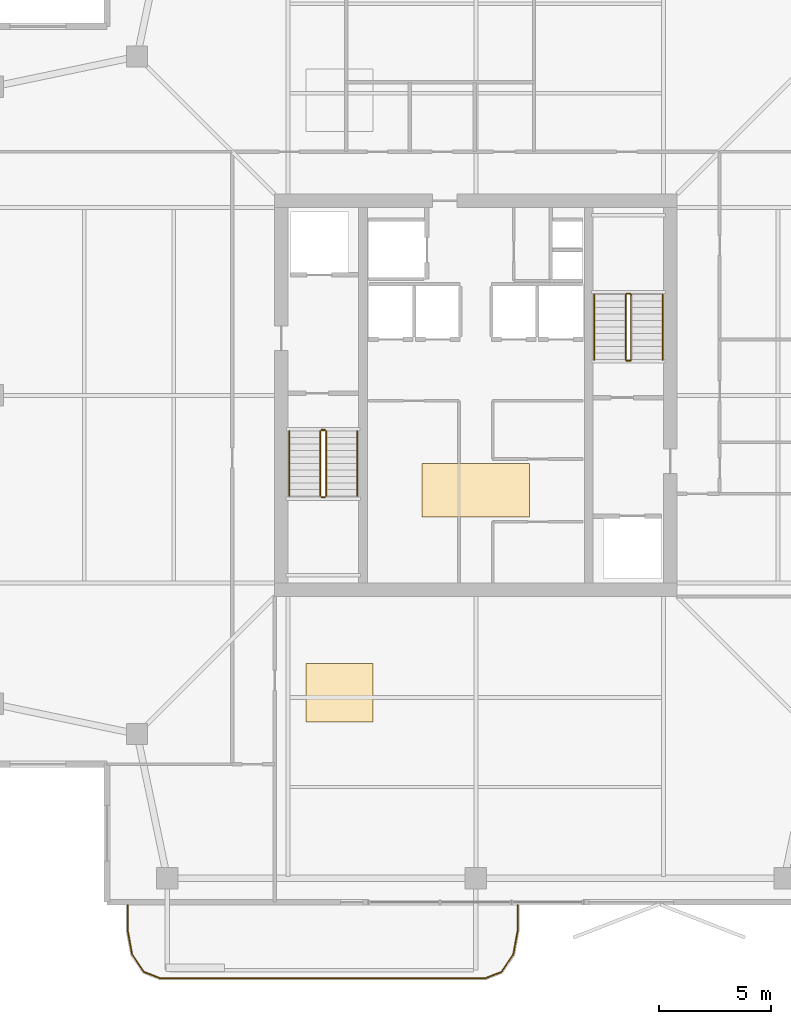
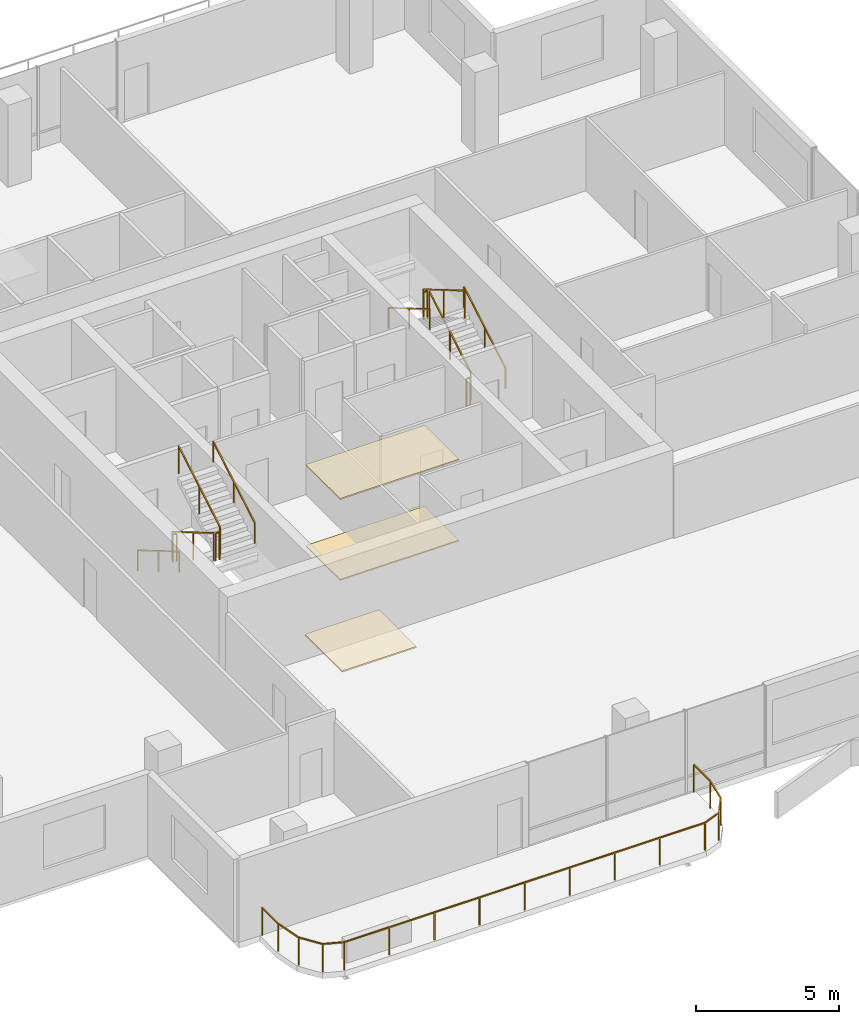
# One storey, part 16 of 17: 13 railings, 3 coverings.
"""IFC4 building model written with IfcOpenShell, lengths in metres."""

import ifcopenshell
import ifcopenshell.guid

model = None  # the IFC model being written
_history = None  # IfcOwnerHistory: only IFC2X3 demands one
_inside = {}  # id of a spatial element -> (the spatial element, [elements in it])
_under = {}  # id of a project, library or spatial element -> (it, [spatial elements below it])
_declared = {}  # id of a project -> (the project, [libraries it declares])
_typed = {}  # id of a type object -> (the type object, [elements of that type])
_made_of = {}  # id of a material, layer set ... -> (it, [elements and type objects made of it])


def new_model(schema):
    """Start an empty IFC model of exactly this schema.

    Asked for "IFC4X3", IfcOpenShell would pick the latest addendum, in which some entities
    have other attributes; the version numbers below select the first issue.
    IFC2X3 requires an IfcOwnerHistory on every rooted entity: one is made here for all.
    """
    global model, _history
    if schema == "IFC4X3":
        model = ifcopenshell.file(schema_version=(4, 3, 0, 0))
    else:
        model = ifcopenshell.file(schema=schema)
    _inside.clear()
    _under.clear()
    _declared.clear()
    _typed.clear()
    _made_of.clear()
    _history = None
    if model.schema == "IFC2X3":
        org = make("IfcOrganization", Name="unknown")
        user = make(
            "IfcPersonAndOrganization",
            ThePerson=make("IfcPerson", FamilyName="unknown"),
            TheOrganization=org,
        )
        app = make(
            "IfcApplication",
            ApplicationDeveloper=org,
            Version="unknown",
            ApplicationFullName="unknown",
            ApplicationIdentifier="unknown",
        )
        _history = make(
            "IfcOwnerHistory",
            OwningUser=user,
            OwningApplication=app,
            ChangeAction="ADDED",
            CreationDate=0,
        )
    return model


def make(cls, **values):
    """One entity of the class cls with the attributes given. An attribute that is None is left unset."""
    return model.create_entity(
        cls, **{name: value for name, value in values.items() if value is not None}
    )


def rooted(cls, **values):
    """An entity with a GlobalId (a new one), such as an element, a storey or a relation."""
    return make(cls, GlobalId=ifcopenshell.guid.new(), OwnerHistory=_history, **values)


def si_unit(unit_type, name, prefix=None):
    """IfcSIUnit, for example si_unit("LENGTHUNIT", "METRE", prefix="MILLI")."""
    return make("IfcSIUnit", UnitType=unit_type, Prefix=prefix, Name=name)


def assignment(units):
    """IfcUnitAssignment: the units of a project."""
    return None if units is None else make("IfcUnitAssignment", Units=units)


def point(xyz):
    """IfcCartesianPoint."""
    return None if xyz is None else make("IfcCartesianPoint", Coordinates=xyz)


def direction(xyz):
    """IfcDirection."""
    return None if xyz is None else make("IfcDirection", DirectionRatios=xyz)


def frame(location, z_axis=None, x_axis=None):
    """IfcAxis2Placement3D, a coordinate frame: its origin and axes. An axis left out is left unset."""
    return make(
        "IfcAxis2Placement3D",
        Location=point(location),
        Axis=direction(z_axis),
        RefDirection=direction(x_axis),
    )


def frame_2d(location, x_axis=None):
    """IfcAxis2Placement2D, a coordinate frame in the plane: its origin and x axis."""
    return make(
        "IfcAxis2Placement2D", Location=point(location), RefDirection=direction(x_axis)
    )


def origin():
    """The frame at (0, 0, 0) with its axes left unset."""
    return frame((0.0, 0.0, 0.0))


def origin_2d():
    """The frame at (0, 0) in the plane with its x axis left unset."""
    return frame_2d((0.0, 0.0))


def place(relative_to, where):
    """IfcLocalPlacement: puts the frame where relative to a parent placement (None: the world)."""
    return make(
        "IfcLocalPlacement", PlacementRelTo=relative_to, RelativePlacement=where
    )


def context(
    kind, dimensions, precision=None, world=None, true_north=None, identifier=None
):
    """IfcGeometricRepresentationContext, for example the 3D "Model" context."""
    return make(
        "IfcGeometricRepresentationContext",
        ContextIdentifier=identifier,
        ContextType=kind,
        CoordinateSpaceDimension=dimensions,
        Precision=precision,
        WorldCoordinateSystem=world,
        TrueNorth=true_north,
    )


def subcontext(parent, identifier, kind, view, scale=None):
    """IfcGeometricRepresentationSubContext, for example "Body" below "Model"."""
    return make(
        "IfcGeometricRepresentationSubContext",
        ContextIdentifier=identifier,
        ContextType=kind,
        ParentContext=parent,
        TargetScale=scale,
        TargetView=view,
    )


def project(units=None, contexts=None):
    """IfcProject with its units and contexts."""
    return rooted(
        "IfcProject",
        Name="project",
        RepresentationContexts=contexts,
        UnitsInContext=assignment(units),
    )


def spatial(cls, under=None, at=None, **own):
    """A site, building, storey or space (cls), placed at a placement, below another one or the project."""
    s = rooted(cls, ObjectPlacement=at, **own)
    if under is not None:
        _under.setdefault(under.id(), (under, []))[1].append(s)
    return s


def polyline(points):
    """IfcPolyline through the points."""
    return make("IfcPolyline", Points=[point(p) for p in points])


def profile(cls, at=None, kind="AREA", **sizes):
    """A parametric profile (cls). Its sizes go by their IFC names, for example OverallWidth=200.0."""
    return make(cls, ProfileType=kind, Position=at, **sizes)


def rectangle(**sizes):
    """IfcRectangleProfileDef."""
    return profile("IfcRectangleProfileDef", **sizes)


def outline(outer, holes=None, kind="AREA"):
    """IfcArbitraryClosedProfileDef: a profile drawn as a closed curve; with holes, ...WithVoids."""
    if holes is None:
        return make("IfcArbitraryClosedProfileDef", ProfileType=kind, OuterCurve=outer)
    return make(
        "IfcArbitraryProfileDefWithVoids",
        ProfileType=kind,
        OuterCurve=outer,
        InnerCurves=holes,
    )


def extrude(swept, where, along, depth):
    """IfcExtrudedAreaSolid: the profile swept, set in the frame where, extruded along a direction by depth."""
    return make(
        "IfcExtrudedAreaSolid",
        SweptArea=swept,
        Position=where,
        ExtrudedDirection=direction(along),
        Depth=depth,
    )


def shape(context_of_items, identifier, shape_type, items):
    """IfcShapeRepresentation: the items that make up one representation, for example the "Body"."""
    return make(
        "IfcShapeRepresentation",
        ContextOfItems=context_of_items,
        RepresentationIdentifier=identifier,
        RepresentationType=shape_type,
        Items=items,
    )


def material(Name=None, Category=None):
    """IfcMaterial."""
    return make("IfcMaterial", Name=Name, Category=Category)


def layer(
    of_material, thickness, ventilated=None, Name=None, Category=None, Priority=None
):
    """IfcMaterialLayer: one layer of a wall or slab, of a material (None: an air gap)."""
    return make(
        "IfcMaterialLayer",
        Material=of_material,
        LayerThickness=thickness,
        IsVentilated=ventilated,
        Name=Name,
        Category=Category,
        Priority=Priority,
    )


def layer_set(layers, Name=None):
    """IfcMaterialLayerSet."""
    return make("IfcMaterialLayerSet", MaterialLayers=layers, LayerSetName=Name)


def made_of(thing, what):
    """Note that an element or type object is made of a material, layer set ...; save() writes the relation."""
    if what is not None:
        _made_of.setdefault(what.id(), (what, []))[1].append(thing)
    return thing


def type_object(cls, material=None, **own):
    """A type object (cls), such as IfcWallType, which elements share."""
    return made_of(rooted(cls, **own), material)


def element(
    cls,
    number,
    at=None,
    inside=None,
    cuts=None,
    type_object=None,
    material=None,
    context=None,
    identifier="Body",
    shape_type=None,
    held_by="IfcProductDefinitionShape",
    body=None,
    shapes=None,
    **own,
):
    """One element of the class cls, such as IfcWall. Its Tag is "e" and its number.

    at: its placement. inside: the storey or other place that contains it. cuts: it is an
    opening in that element (IfcRelVoidsElement). A single representation is given by context,
    identifier, shape_type and body (its items); several are given by shapes. held_by: the class
    of the entity that holds the representations. save() writes the other relations.
    """
    e = rooted(cls, Tag="e%d" % number, ObjectPlacement=at, **own)
    if body is not None:
        shapes = [shape(context, identifier, shape_type, body)]
    if shapes is not None:
        e.Representation = make(held_by, Representations=shapes)
    if inside is not None:
        _inside.setdefault(inside.id(), (inside, []))[1].append(e)
    if cuts is not None:
        rooted(
            "IfcRelVoidsElement", RelatingBuildingElement=cuts, RelatedOpeningElement=e
        )
    if type_object is not None:
        _typed.setdefault(type_object.id(), (type_object, []))[1].append(e)
    return made_of(e, material)


def aggregate(whole, parts):
    """IfcRelAggregates: a whole, such as a stair, and the parts it consists of."""
    return rooted("IfcRelAggregates", RelatingObject=whole, RelatedObjects=parts)


def save(model, path):
    """Write the relations noted so far, then the file.

    IfcRelAggregates (storeys below a building ...), IfcRelContainedInSpatialStructure (elements
    in a storey), IfcRelDefinesByType, IfcRelAssociatesMaterial and IfcRelDeclares: one each for
    every whole, place, type object, material and project.
    """
    for whole, parts in _under.values():
        aggregate(whole, parts)
    for where, things in _inside.values():
        rooted(
            "IfcRelContainedInSpatialStructure",
            RelatedElements=things,
            RelatingStructure=where,
        )
    for kind, things in _typed.values():
        rooted("IfcRelDefinesByType", RelatedObjects=things, RelatingType=kind)
    for what, things in _made_of.values():
        rooted("IfcRelAssociatesMaterial", RelatedObjects=things, RelatingMaterial=what)
    for by, libraries in _declared.values():
        rooted("IfcRelDeclares", RelatingContext=by, RelatedDefinitions=libraries)
    model.write(path)


model = new_model("IFC4")

# Units and contexts
model_context = context("Model", 3, precision=1e-05, world=origin(), true_north=direction((0.0, 1.0)))
body_context = subcontext(model_context, "Body", "Model", "MODEL_VIEW")
ifc_project = project(units=[si_unit("LENGTHUNIT", "METRE"), si_unit("AREAUNIT", "SQUARE_METRE"), si_unit("VOLUMEUNIT", "CUBIC_METRE"), si_unit("PLANEANGLEUNIT", "RADIAN"), si_unit("MASSUNIT", "GRAM", prefix="KILO")], contexts=[model_context])

# Site, building, storey
site_placement = place(None, origin())
site = spatial("IfcSite", under=ifc_project, at=site_placement, CompositionType="ELEMENT")
building_placement = place(site_placement, origin())
building = spatial("IfcBuilding", under=site, at=building_placement, Name="Belovzor Exchange Tower", CompositionType="ELEMENT")
storey_placement = place(building_placement, frame((0.0, 0.0, 303.0)))
storey = spatial("IfcBuildingStorey", under=building, at=storey_placement, Name="L75", CompositionType="ELEMENT", Elevation=303.0)

# Railings
ifc_material_1 = material(Name="Stainless Steel Grade 304", Category="steel")
railing_type_1 = type_object("IfcRailingType", Name="Brushed Stainless Steel Stair Handrail 900", PredefinedType="HANDRAIL", material=ifc_material_1)
railing_1_placement = place(storey_placement, frame((20.449951171875, 27.199951171875, 0.17041015625)))
element("IfcRailing", 1, at=railing_1_placement, inside=storey, type_object=railing_type_1, Name="L75 ST-1 stair handrail 1", PredefinedType="HANDRAIL", context=body_context, shape_type="SweptSolid", body=[
    extrude(rectangle(XDim=0.048095703125, YDim=0.048095703125, at=origin_2d()), frame((0.0, 0.0, 0.8759765625), z_axis=(0.0, -0.86209462966, 0.506747323142), x_axis=(1.0, 0.0, 0.0)), (0.0, 0.0, 1.0), 3.36376953125),
    extrude(rectangle(XDim=0.0419921875, YDim=0.0419921875, at=origin_2d()), origin(), (0.0, 0.0, 1.0), 0.851806640625),
    extrude(rectangle(XDim=0.0419921875, YDim=0.0419921875, at=origin_2d()), frame((0.0, -1.449951171875, 0.852294921875)), (0.0, 0.0, 1.0), 0.851806640625),
    extrude(rectangle(XDim=0.0419921875, YDim=0.0419921875, at=origin_2d()), frame((0.0, -2.89990234375, 1.70458984375)), (0.0, 0.0, 1.0), 0.851806640625),
])
railing_2_placement = place(storey_placement, frame((23.5, 24.300048828125, 2.04541015625)))
element("IfcRailing", 2, at=railing_2_placement, inside=storey, type_object=railing_type_1, Name="L75 ST-1 stair handrail 2", PredefinedType="HANDRAIL", context=body_context, shape_type="SweptSolid", body=[
    extrude(rectangle(XDim=0.048095703125, YDim=0.048095703125, at=origin_2d()), frame((0.0, 0.0, 0.8759765625), z_axis=(0.0, 0.86209462966, 0.506747323142), x_axis=(-1.0, 0.0, 0.0)), (0.0, 0.0, 1.0), 3.36376953125),
    extrude(rectangle(XDim=0.0419921875, YDim=0.0419921875, at=origin_2d()), origin(), (0.0, 0.0, 1.0), 0.851806640625),
    extrude(rectangle(XDim=0.0419921875, YDim=0.0419921875, at=origin_2d()), frame((0.0, 1.449951171875, 0.852294921875)), (0.0, 0.0, 1.0), 0.851806640625),
    extrude(rectangle(XDim=0.0419921875, YDim=0.0419921875, at=origin_2d()), frame((0.0, 2.89990234375, 1.70458984375)), (0.0, 0.0, 1.0), 0.851806640625),
])
railing_3_placement = place(storey_placement, frame((37.14990234375, 30.39990234375, 0.17041015625)))
element("IfcRailing", 3, at=railing_3_placement, inside=storey, type_object=railing_type_1, Name="L75 ST-2 stair handrail 1", PredefinedType="HANDRAIL", context=body_context, shape_type="SweptSolid", body=[
    extrude(rectangle(XDim=0.048095703125, YDim=0.048095703125, at=origin_2d()), frame((0.0, 0.0, 0.8759765625), z_axis=(0.0, 0.862113265706, 0.506715617574), x_axis=(-1.0, 0.0, 0.0)), (0.0, 0.0, 1.0), 3.364013671875),
    extrude(rectangle(XDim=0.0419921875, YDim=0.0419921875, at=origin_2d()), origin(), (0.0, 0.0, 1.0), 0.851806640625),
    extrude(rectangle(XDim=0.0419921875, YDim=0.0419921875, at=origin_2d()), frame((0.0, 1.4501953125, 0.852294921875)), (0.0, 0.0, 1.0), 0.851806640625),
    extrude(rectangle(XDim=0.0419921875, YDim=0.0419921875, at=origin_2d()), frame((0.0, 2.900146484375, 1.70458984375)), (0.0, 0.0, 1.0), 0.851806640625),
])
railing_4_placement = place(storey_placement, frame((34.10009765625, 33.300048828125, 2.04541015625)))
element("IfcRailing", 4, at=railing_4_placement, inside=storey, type_object=railing_type_1, Name="L75 ST-2 stair handrail 2", PredefinedType="HANDRAIL", context=body_context, shape_type="SweptSolid", body=[
    extrude(rectangle(XDim=0.048095703125, YDim=0.048095703125, at=origin_2d()), frame((0.0, 0.0, 0.8759765625), z_axis=(0.0, -0.862113265706, 0.506715617574), x_axis=(1.0, 0.0, 0.0)), (0.0, 0.0, 1.0), 3.364013671875),
    extrude(rectangle(XDim=0.0419921875, YDim=0.0419921875, at=origin_2d()), origin(), (0.0, 0.0, 1.0), 0.851806640625),
    extrude(rectangle(XDim=0.0419921875, YDim=0.0419921875, at=origin_2d()), frame((0.0, -1.4501953125, 0.852294921875)), (0.0, 0.0, 1.0), 0.851806640625),
    extrude(rectangle(XDim=0.0419921875, YDim=0.0419921875, at=origin_2d()), frame((0.0, -2.900146484375, 1.70458984375)), (0.0, 0.0, 1.0), 0.851806640625),
])
ifc_material_2 = material(Name="Stainless Steel and Laminated Safety Glass", Category="steel")
railing_type_2 = type_object("IfcRailingType", Name="Laminated Glass & Stainless Steel Balcony Balustrade 1200", PredefinedType="BALUSTRADE", material=ifc_material_2)
railing_5_placement = place(storey_placement, frame((13.22998046875, 5.989990234375, 0.0)))
element("IfcRailing", 5, at=railing_5_placement, inside=storey, type_object=railing_type_2, Name="GR-1 Balcony Balustrade L75 South", PredefinedType="BALUSTRADE", context=body_context, shape_type="SweptSolid", body=[
    extrude(rectangle(XDim=0.048095703125, YDim=0.048095703125, at=origin_2d()), frame((0.0, 0.0, 1.17578125), z_axis=(0.0, -1.0, 0.0), x_axis=(1.0, 0.0, 0.0)), (0.0, 0.0, 1.0), 1.133056640625),
    extrude(rectangle(XDim=0.048095703125, YDim=0.048095703125, at=origin_2d()), frame((0.0, -1.133056640625, 1.17578125), z_axis=(0.180122719713, -0.983644145941, 0.0), x_axis=(0.983644145941, 0.180122719713, 0.0)), (0.0, 0.0, 1.0), 1.09375),
    extrude(rectangle(XDim=0.048095703125, YDim=0.048095703125, at=origin_2d()), frame((0.197021484375, -2.208984375, 1.17578125), z_axis=(0.562768145367, -0.826614792125, 0.0), x_axis=(0.826614792125, 0.562768145367, 0.0)), (0.0, 0.0, 1.0), 0.9326171875),
    extrude(rectangle(XDim=0.048095703125, YDim=0.048095703125, at=origin_2d()), frame((0.721923828125, -2.97998046875, 1.17578125), z_axis=(0.930809580156, -0.365504480807, 0.0), x_axis=(0.365504480807, 0.930809580156, 0.0)), (0.0, 0.0, 1.0), 0.76611328125),
    extrude(rectangle(XDim=0.048095703125, YDim=0.048095703125, at=origin_2d()), frame((1.43505859375, -3.260009765625, 1.17578125), z_axis=(1.0, 0.0, 0.0), x_axis=(0.0, 1.0, 0.0)), (0.0, 0.0, 1.0), 14.570068359375),
    extrude(rectangle(XDim=0.048095703125, YDim=0.048095703125, at=origin_2d()), frame((16.005126953125, -3.260009765625, 1.17578125), z_axis=(0.930766990125, 0.365612923861, 0.0), x_axis=(-0.365612923861, 0.930766990125, 0.0)), (0.0, 0.0, 1.0), 0.765869140625),
    extrude(rectangle(XDim=0.048095703125, YDim=0.048095703125, at=origin_2d()), frame((16.718017578125, -2.97998046875, 1.17578125), z_axis=(0.562768145367, 0.826614792125, 0.0), x_axis=(-0.826614792125, 0.562768145367, 0.0)), (0.0, 0.0, 1.0), 0.9326171875),
    extrude(rectangle(XDim=0.048095703125, YDim=0.048095703125, at=origin_2d()), frame((17.242919921875, -2.208984375, 1.17578125), z_axis=(0.180122719713, 0.983644145941, 0.0), x_axis=(-0.983644145941, 0.180122719713, 0.0)), (0.0, 0.0, 1.0), 1.09375),
    extrude(rectangle(XDim=0.048095703125, YDim=0.048095703125, at=origin_2d()), frame((17.43994140625, -1.133056640625, 1.17578125), z_axis=(0.0, 1.0, 0.0), x_axis=(-1.0, 0.0, 0.0)), (0.0, 0.0, 1.0), 1.133056640625),
    extrude(rectangle(XDim=0.0419921875, YDim=0.0419921875, at=origin_2d()), origin(), (0.0, 0.0, 1.0), 1.15185546875),
    extrude(rectangle(XDim=0.0419921875, YDim=0.0419921875, at=origin_2d()), frame((0.0, -1.133056640625, 0.0)), (0.0, 0.0, 1.0), 1.15185546875),
    extrude(rectangle(XDim=0.0419921875, YDim=0.0419921875, at=origin_2d()), frame((0.197021484375, -2.208984375, 0.0)), (0.0, 0.0, 1.0), 1.15185546875),
    extrude(rectangle(XDim=0.0419921875, YDim=0.0419921875, at=origin_2d()), frame((0.721923828125, -2.97998046875, 0.0)), (0.0, 0.0, 1.0), 1.15185546875),
    extrude(rectangle(XDim=0.0419921875, YDim=0.0419921875, at=origin_2d()), frame((1.43505859375, -3.260009765625, 0.0)), (0.0, 0.0, 1.0), 1.15185546875),
    extrude(rectangle(XDim=0.0419921875, YDim=0.0419921875, at=origin_2d()), frame((3.25634765625, -3.260009765625, 0.0)), (0.0, 0.0, 1.0), 1.15185546875),
    extrude(rectangle(XDim=0.0419921875, YDim=0.0419921875, at=origin_2d()), frame((5.07763671875, -3.260009765625, 0.0)), (0.0, 0.0, 1.0), 1.15185546875),
    extrude(rectangle(XDim=0.0419921875, YDim=0.0419921875, at=origin_2d()), frame((6.89892578125, -3.260009765625, 0.0)), (0.0, 0.0, 1.0), 1.15185546875),
    extrude(rectangle(XDim=0.0419921875, YDim=0.0419921875, at=origin_2d()), frame((8.72021484375, -3.260009765625, 0.0)), (0.0, 0.0, 1.0), 1.15185546875),
    extrude(rectangle(XDim=0.0419921875, YDim=0.0419921875, at=origin_2d()), frame((10.541259765625, -3.260009765625, 0.0)), (0.0, 0.0, 1.0), 1.15185546875),
    extrude(rectangle(XDim=0.0419921875, YDim=0.0419921875, at=origin_2d()), frame((12.362548828125, -3.260009765625, 0.0)), (0.0, 0.0, 1.0), 1.15185546875),
    extrude(rectangle(XDim=0.0419921875, YDim=0.0419921875, at=origin_2d()), frame((14.183837890625, -3.260009765625, 0.0)), (0.0, 0.0, 1.0), 1.15185546875),
    extrude(rectangle(XDim=0.0419921875, YDim=0.0419921875, at=origin_2d()), frame((16.005126953125, -3.260009765625, 0.0)), (0.0, 0.0, 1.0), 1.15185546875),
    extrude(rectangle(XDim=0.0419921875, YDim=0.0419921875, at=origin_2d()), frame((16.718017578125, -2.97998046875, 0.0)), (0.0, 0.0, 1.0), 1.15185546875),
    extrude(rectangle(XDim=0.0419921875, YDim=0.0419921875, at=origin_2d()), frame((17.242919921875, -2.208984375, 0.0)), (0.0, 0.0, 1.0), 1.15185546875),
    extrude(rectangle(XDim=0.0419921875, YDim=0.0419921875, at=origin_2d()), frame((17.43994140625, -1.133056640625, 0.0)), (0.0, 0.0, 1.0), 1.15185546875),
    extrude(rectangle(XDim=0.0419921875, YDim=0.0419921875, at=origin_2d()), frame((17.43994140625, 0.0, 0.0)), (0.0, 0.0, 1.0), 1.15185546875),
])
ifc_material_3 = material(Name="Steel S355", Category="steel")
railing_type_3 = type_object("IfcRailingType", Name="Painted Steel Stairwell Guardrail 1200", PredefinedType="GUARDRAIL", material=ifc_material_3)
railing_6_placement = place(storey_placement, frame((21.85009765625, 27.199951171875, 0.17041015625)))
element("IfcRailing", 6, at=railing_6_placement, inside=storey, type_object=railing_type_3, Name="L75 ST-1 stair guard 1", PredefinedType="GUARDRAIL", context=body_context, shape_type="SweptSolid", body=[
    extrude(rectangle(XDim=0.048095703125, YDim=0.048095703125, at=origin_2d()), frame((0.0, 0.0, 1.17578125), z_axis=(0.0, -0.86209462966, 0.506747323142), x_axis=(1.0, 0.0, 0.0)), (0.0, 0.0, 1.0), 3.36376953125),
    extrude(rectangle(XDim=0.0419921875, YDim=0.0419921875, at=origin_2d()), origin(), (0.0, 0.0, 1.0), 1.15185546875),
    extrude(rectangle(XDim=0.0419921875, YDim=0.0419921875, at=origin_2d()), frame((0.0, -1.449951171875, 0.852294921875)), (0.0, 0.0, 1.0), 1.15185546875),
    extrude(rectangle(XDim=0.0419921875, YDim=0.0419921875, at=origin_2d()), frame((0.0, -2.89990234375, 1.70458984375)), (0.0, 0.0, 1.0), 1.15185546875),
])
railing_7_placement = place(storey_placement, frame((21.89990234375, 24.25, 1.875)))
element("IfcRailing", 7, at=railing_7_placement, inside=storey, type_object=railing_type_3, Name="L75 ST-1 stair guard 2", PredefinedType="GUARDRAIL", context=body_context, shape_type="SweptSolid", body=[
    extrude(rectangle(XDim=0.048095703125, YDim=0.048095703125, at=origin_2d()), frame((0.0, 0.0, 1.17578125), z_axis=(1.0, 0.0, 0.0), x_axis=(0.0, 1.0, 0.0)), (0.0, 0.0, 1.0), 0.150146484375),
    extrude(rectangle(XDim=0.0419921875, YDim=0.0419921875, at=origin_2d()), origin(), (0.0, 0.0, 1.0), 1.15185546875),
    extrude(rectangle(XDim=0.0419921875, YDim=0.0419921875, at=origin_2d()), frame((0.150146484375, 0.0, 0.0)), (0.0, 0.0, 1.0), 1.15185546875),
])
railing_8_placement = place(storey_placement, frame((22.10009765625, 24.300048828125, 2.04541015625)))
element("IfcRailing", 8, at=railing_8_placement, inside=storey, type_object=railing_type_3, Name="L75 ST-1 stair guard 3", PredefinedType="GUARDRAIL", context=body_context, shape_type="SweptSolid", body=[
    extrude(rectangle(XDim=0.048095703125, YDim=0.048095703125, at=origin_2d()), frame((0.0, 0.0, 1.17578125), z_axis=(0.0, 0.86209462966, 0.506747323142), x_axis=(-1.0, 0.0, 0.0)), (0.0, 0.0, 1.0), 3.36376953125),
    extrude(rectangle(XDim=0.0419921875, YDim=0.0419921875, at=origin_2d()), origin(), (0.0, 0.0, 1.0), 1.15185546875),
    extrude(rectangle(XDim=0.0419921875, YDim=0.0419921875, at=origin_2d()), frame((0.0, 1.449951171875, 0.852294921875)), (0.0, 0.0, 1.0), 1.15185546875),
    extrude(rectangle(XDim=0.0419921875, YDim=0.0419921875, at=origin_2d()), frame((0.0, 2.89990234375, 1.70458984375)), (0.0, 0.0, 1.0), 1.15185546875),
])
railing_9_placement = place(storey_placement, frame((21.89990234375, 27.25, 0.0)))
element("IfcRailing", 9, at=railing_9_placement, inside=storey, type_object=railing_type_3, Name="L75 ST-1 stair guard 4", PredefinedType="GUARDRAIL", context=body_context, shape_type="SweptSolid", body=[
    extrude(rectangle(XDim=0.048095703125, YDim=0.048095703125, at=origin_2d()), frame((0.0, 0.0, 1.17578125), z_axis=(1.0, 0.0, 0.0), x_axis=(0.0, 1.0, 0.0)), (0.0, 0.0, 1.0), 0.150146484375),
    extrude(rectangle(XDim=0.0419921875, YDim=0.0419921875, at=origin_2d()), origin(), (0.0, 0.0, 1.0), 1.15185546875),
    extrude(rectangle(XDim=0.0419921875, YDim=0.0419921875, at=origin_2d()), frame((0.150146484375, 0.0, 0.0)), (0.0, 0.0, 1.0), 1.15185546875),
])
railing_10_placement = place(storey_placement, frame((35.75, 30.39990234375, 0.17041015625)))
element("IfcRailing", 10, at=railing_10_placement, inside=storey, type_object=railing_type_3, Name="L75 ST-2 stair guard 1", PredefinedType="GUARDRAIL", context=body_context, shape_type="SweptSolid", body=[
    extrude(rectangle(XDim=0.048095703125, YDim=0.048095703125, at=origin_2d()), frame((0.0, 0.0, 1.17578125), z_axis=(0.0, 0.862113265706, 0.506715617574), x_axis=(-1.0, 0.0, 0.0)), (0.0, 0.0, 1.0), 3.364013671875),
    extrude(rectangle(XDim=0.0419921875, YDim=0.0419921875, at=origin_2d()), origin(), (0.0, 0.0, 1.0), 1.15185546875),
    extrude(rectangle(XDim=0.0419921875, YDim=0.0419921875, at=origin_2d()), frame((0.0, 1.4501953125, 0.852294921875)), (0.0, 0.0, 1.0), 1.15185546875),
    extrude(rectangle(XDim=0.0419921875, YDim=0.0419921875, at=origin_2d()), frame((0.0, 2.900146484375, 1.70458984375)), (0.0, 0.0, 1.0), 1.15185546875),
])
railing_11_placement = place(storey_placement, frame((35.699951171875, 33.35009765625, 1.875)))
element("IfcRailing", 11, at=railing_11_placement, inside=storey, type_object=railing_type_3, Name="L75 ST-2 stair guard 2", PredefinedType="GUARDRAIL", context=body_context, shape_type="SweptSolid", body=[
    extrude(rectangle(XDim=0.048095703125, YDim=0.048095703125, at=origin_2d()), frame((0.0, 0.0, 1.17578125), z_axis=(-1.0, 0.0, 0.0), x_axis=(0.0, -1.0, 0.0)), (0.0, 0.0, 1.0), 0.14990234375),
    extrude(rectangle(XDim=0.0419921875, YDim=0.0419921875, at=origin_2d()), origin(), (0.0, 0.0, 1.0), 1.15185546875),
    extrude(rectangle(XDim=0.0419921875, YDim=0.0419921875, at=origin_2d()), frame((-0.14990234375, 0.0, 0.0)), (0.0, 0.0, 1.0), 1.15185546875),
])
railing_12_placement = place(storey_placement, frame((35.5, 33.300048828125, 2.04541015625)))
element("IfcRailing", 12, at=railing_12_placement, inside=storey, type_object=railing_type_3, Name="L75 ST-2 stair guard 3", PredefinedType="GUARDRAIL", context=body_context, shape_type="SweptSolid", body=[
    extrude(rectangle(XDim=0.048095703125, YDim=0.048095703125, at=origin_2d()), frame((0.0, 0.0, 1.17578125), z_axis=(0.0, -0.862113265706, 0.506715617574), x_axis=(1.0, 0.0, 0.0)), (0.0, 0.0, 1.0), 3.364013671875),
    extrude(rectangle(XDim=0.0419921875, YDim=0.0419921875, at=origin_2d()), origin(), (0.0, 0.0, 1.0), 1.15185546875),
    extrude(rectangle(XDim=0.0419921875, YDim=0.0419921875, at=origin_2d()), frame((0.0, -1.4501953125, 0.852294921875)), (0.0, 0.0, 1.0), 1.15185546875),
    extrude(rectangle(XDim=0.0419921875, YDim=0.0419921875, at=origin_2d()), frame((0.0, -2.900146484375, 1.70458984375)), (0.0, 0.0, 1.0), 1.15185546875),
])
railing_13_placement = place(storey_placement, frame((35.699951171875, 30.35009765625, 0.0)))
element("IfcRailing", 13, at=railing_13_placement, inside=storey, type_object=railing_type_3, Name="L75 ST-2 stair guard 4", PredefinedType="GUARDRAIL", context=body_context, shape_type="SweptSolid", body=[
    extrude(rectangle(XDim=0.048095703125, YDim=0.048095703125, at=origin_2d()), frame((0.0, 0.0, 1.17578125), z_axis=(-1.0, 0.0, 0.0), x_axis=(0.0, -1.0, 0.0)), (0.0, 0.0, 1.0), 0.14990234375),
    extrude(rectangle(XDim=0.0419921875, YDim=0.0419921875, at=origin_2d()), origin(), (0.0, 0.0, 1.0), 1.15185546875),
    extrude(rectangle(XDim=0.0419921875, YDim=0.0419921875, at=origin_2d()), frame((-0.14990234375, 0.0, 0.0)), (0.0, 0.0, 1.0), 1.15185546875),
])

# Coverings
ifc_material_4 = material(Name="Perforated Powder-Coated Aluminium", Category="aluminium")
ifc_layer_1 = layer(ifc_material_4, 0.06005859375)
ifc_layer_set_1 = layer_set([ifc_layer_1], Name="Perforated Powder-Coated Aluminium")
covering_type_1 = type_object("IfcCoveringType", Name="Perforated Acoustic Metal Tile Suspended Ceiling 60", PredefinedType="CEILING", material=ifc_layer_set_1)
covering_1_placement = place(storey_placement, frame((0.0, 0.0, 3.449951171875)))
element("IfcCovering", 14, at=covering_1_placement, inside=storey, type_object=covering_type_1, Name="CLG-AC60 Suspended Ceiling CLG-L75-LOB", PredefinedType="CEILING", context=body_context, shape_type="SweptSolid", body=[
    extrude(outline(polyline([(26.39990234375, 23.35009765625), (31.199951171875, 23.35009765625), (31.199951171875, 25.75), (26.39990234375, 25.75), (26.39990234375, 23.35009765625)])), origin(), (0.0, 0.0, 1.0), 0.06005859375),
])
covering_2_placement = place(storey_placement, frame((0.0, 0.0, 3.449951171875)))
element("IfcCovering", 15, at=covering_2_placement, inside=storey, type_object=covering_type_1, Name="CLG-AC60 Suspended Ceiling CLG-L75-Z0", PredefinedType="CEILING", context=body_context, shape_type="SweptSolid", body=[
    extrude(outline(polyline([(21.199951171875, 14.199951171875), (24.199951171875, 14.199951171875), (24.199951171875, 16.800048828125), (21.199951171875, 16.800048828125), (21.199951171875, 14.199951171875)])), origin(), (0.0, 0.0, 1.0), 0.06005859375),
])
ifc_material_5 = material(Name="Polished Natural Granite Tile", Category="masonry")
ifc_layer_2 = layer(ifc_material_5, 0.050048828125)
ifc_layer_set_2 = layer_set([ifc_layer_2], Name="Polished Natural Granite Tile")
covering_type_2 = type_object("IfcCoveringType", Name="Polished Karelian Granite & Raised Access Floor Finish 50", PredefinedType="FLOORING", material=ifc_layer_set_2)
covering_3_placement = place(storey_placement, origin())
element("IfcCovering", 16, at=covering_3_placement, inside=storey, type_object=covering_type_2, Name="FLR-GR50 Floor Finish FLR-L75-LOB", PredefinedType="FLOORING", context=body_context, shape_type="SweptSolid", body=[
    extrude(outline(polyline([(26.39990234375, 23.35009765625), (31.199951171875, 23.35009765625), (31.199951171875, 25.75), (26.39990234375, 25.75), (26.39990234375, 23.35009765625)])), origin(), (0.0, 0.0, 1.0), 0.050048828125),
])

save(model, "model.ifc")
